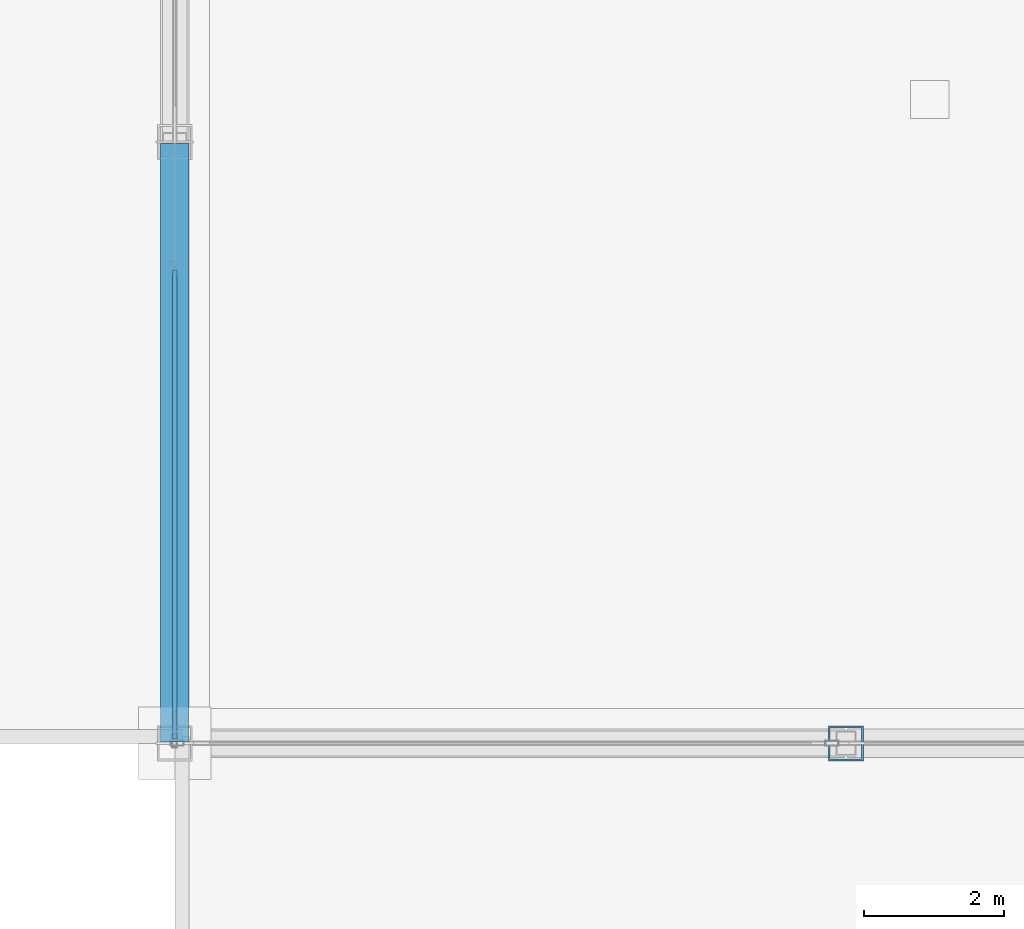
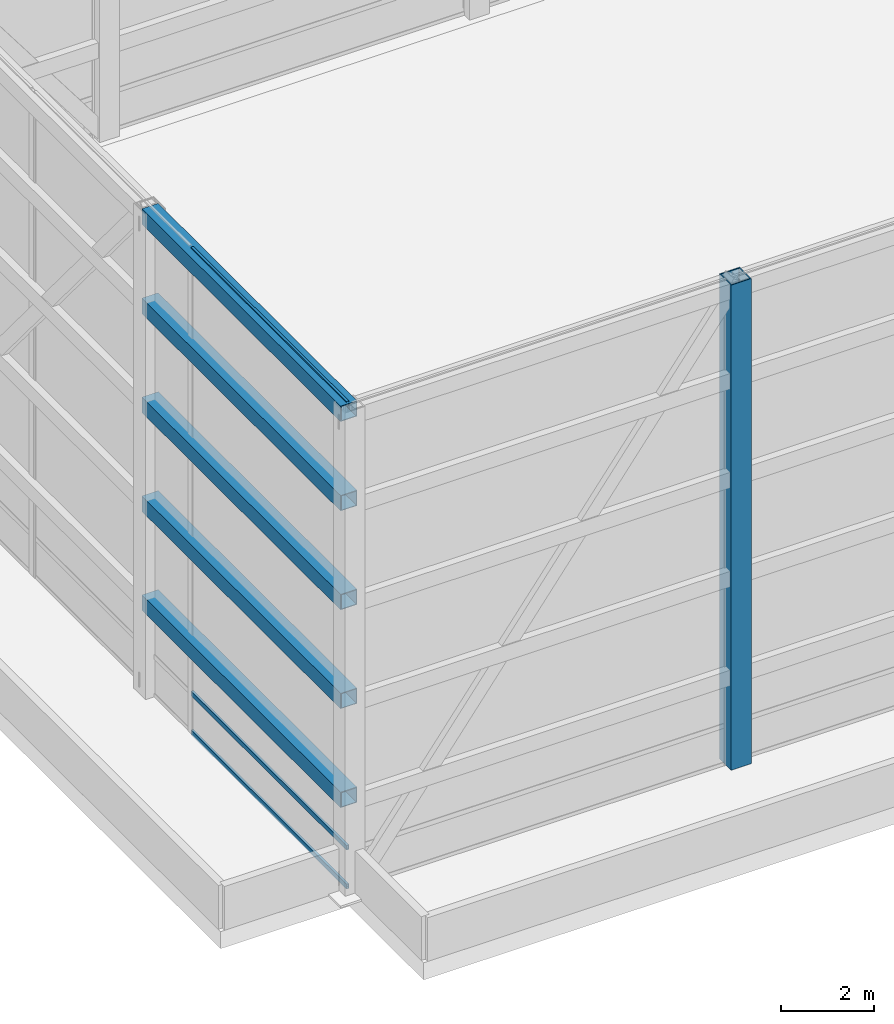
# One storey, part 2 of 23: 5 beams, 4 members, 1 element without a shape of its own.
"""IFC4 building model written with IfcOpenShell, lengths in metres."""

import ifcopenshell
import ifcopenshell.guid

model = None  # the IFC model being written
_history = None  # IfcOwnerHistory: only IFC2X3 demands one
_inside = {}  # id of a spatial element -> (the spatial element, [elements in it])
_under = {}  # id of a project, library or spatial element -> (it, [spatial elements below it])
_declared = {}  # id of a project -> (the project, [libraries it declares])
_typed = {}  # id of a type object -> (the type object, [elements of that type])
_made_of = {}  # id of a material, layer set ... -> (it, [elements and type objects made of it])


def new_model(schema):
    """Start an empty IFC model of exactly this schema.

    Asked for "IFC4X3", IfcOpenShell would pick the latest addendum, in which some entities
    have other attributes; the version numbers below select the first issue.
    IFC2X3 requires an IfcOwnerHistory on every rooted entity: one is made here for all.
    """
    global model, _history
    if schema == "IFC4X3":
        model = ifcopenshell.file(schema_version=(4, 3, 0, 0))
    else:
        model = ifcopenshell.file(schema=schema)
    _inside.clear()
    _under.clear()
    _declared.clear()
    _typed.clear()
    _made_of.clear()
    _history = None
    if model.schema == "IFC2X3":
        org = make("IfcOrganization", Name="unknown")
        user = make(
            "IfcPersonAndOrganization",
            ThePerson=make("IfcPerson", FamilyName="unknown"),
            TheOrganization=org,
        )
        app = make(
            "IfcApplication",
            ApplicationDeveloper=org,
            Version="unknown",
            ApplicationFullName="unknown",
            ApplicationIdentifier="unknown",
        )
        _history = make(
            "IfcOwnerHistory",
            OwningUser=user,
            OwningApplication=app,
            ChangeAction="ADDED",
            CreationDate=0,
        )
    return model


def make(cls, **values):
    """One entity of the class cls with the attributes given. An attribute that is None is left unset."""
    return model.create_entity(
        cls, **{name: value for name, value in values.items() if value is not None}
    )


def rooted(cls, **values):
    """An entity with a GlobalId (a new one), such as an element, a storey or a relation."""
    return make(cls, GlobalId=ifcopenshell.guid.new(), OwnerHistory=_history, **values)


def si_unit(unit_type, name, prefix=None):
    """IfcSIUnit, for example si_unit("LENGTHUNIT", "METRE", prefix="MILLI")."""
    return make("IfcSIUnit", UnitType=unit_type, Prefix=prefix, Name=name)


def assignment(units):
    """IfcUnitAssignment: the units of a project."""
    return None if units is None else make("IfcUnitAssignment", Units=units)


def point(xyz):
    """IfcCartesianPoint."""
    return None if xyz is None else make("IfcCartesianPoint", Coordinates=xyz)


def direction(xyz):
    """IfcDirection."""
    return None if xyz is None else make("IfcDirection", DirectionRatios=xyz)


def frame(location, z_axis=None, x_axis=None):
    """IfcAxis2Placement3D, a coordinate frame: its origin and axes. An axis left out is left unset."""
    return make(
        "IfcAxis2Placement3D",
        Location=point(location),
        Axis=direction(z_axis),
        RefDirection=direction(x_axis),
    )


def frame_2d(location, x_axis=None):
    """IfcAxis2Placement2D, a coordinate frame in the plane: its origin and x axis."""
    return make(
        "IfcAxis2Placement2D", Location=point(location), RefDirection=direction(x_axis)
    )


def origin():
    """The frame at (0, 0, 0) with its axes left unset."""
    return frame((0.0, 0.0, 0.0))


def origin_2d():
    """The frame at (0, 0) in the plane with its x axis left unset."""
    return frame_2d((0.0, 0.0))


def place(relative_to, where):
    """IfcLocalPlacement: puts the frame where relative to a parent placement (None: the world)."""
    return make(
        "IfcLocalPlacement", PlacementRelTo=relative_to, RelativePlacement=where
    )


def context(
    kind, dimensions, precision=None, world=None, true_north=None, identifier=None
):
    """IfcGeometricRepresentationContext, for example the 3D "Model" context."""
    return make(
        "IfcGeometricRepresentationContext",
        ContextIdentifier=identifier,
        ContextType=kind,
        CoordinateSpaceDimension=dimensions,
        Precision=precision,
        WorldCoordinateSystem=world,
        TrueNorth=true_north,
    )


def subcontext(parent, identifier, kind, view, scale=None):
    """IfcGeometricRepresentationSubContext, for example "Body" below "Model"."""
    return make(
        "IfcGeometricRepresentationSubContext",
        ContextIdentifier=identifier,
        ContextType=kind,
        ParentContext=parent,
        TargetScale=scale,
        TargetView=view,
    )


def project(units=None, contexts=None):
    """IfcProject with its units and contexts."""
    return rooted(
        "IfcProject",
        Name="project",
        RepresentationContexts=contexts,
        UnitsInContext=assignment(units),
    )


def spatial(cls, under=None, at=None, **own):
    """A site, building, storey or space (cls), placed at a placement, below another one or the project."""
    s = rooted(cls, ObjectPlacement=at, **own)
    if under is not None:
        _under.setdefault(under.id(), (under, []))[1].append(s)
    return s


def profile(cls, at=None, kind="AREA", **sizes):
    """A parametric profile (cls). Its sizes go by their IFC names, for example OverallWidth=200.0."""
    return make(cls, ProfileType=kind, Position=at, **sizes)


def hollow_rectangle(**sizes):
    """IfcRectangleHollowProfileDef."""
    return profile("IfcRectangleHollowProfileDef", **sizes)


def extrude(swept, where, along, depth):
    """IfcExtrudedAreaSolid: the profile swept, set in the frame where, extruded along a direction by depth."""
    return make(
        "IfcExtrudedAreaSolid",
        SweptArea=swept,
        Position=where,
        ExtrudedDirection=direction(along),
        Depth=depth,
    )


def shape(context_of_items, identifier, shape_type, items):
    """IfcShapeRepresentation: the items that make up one representation, for example the "Body"."""
    return make(
        "IfcShapeRepresentation",
        ContextOfItems=context_of_items,
        RepresentationIdentifier=identifier,
        RepresentationType=shape_type,
        Items=items,
    )


def source(mapping_origin, context_of_items, identifier, shape_type, items):
    """IfcRepresentationMap: a shape defined once, which mapped items show again and again."""
    return make(
        "IfcRepresentationMap",
        MappingOrigin=mapping_origin,
        MappedRepresentation=shape(context_of_items, identifier, shape_type, items),
    )


def transform(
    local_origin,
    x_axis=None,
    y_axis=None,
    z_axis=None,
    scale=None,
    scale2=None,
    scale3=None,
    uniform=True,
):
    """IfcCartesianTransformationOperator3D, or its non-uniform kind. x_axis, y_axis, z_axis: its Axis1, 2, 3."""
    if uniform:
        return make(
            "IfcCartesianTransformationOperator3D",
            Axis1=direction(x_axis),
            Axis2=direction(y_axis),
            LocalOrigin=point(local_origin),
            Scale=scale,
            Axis3=direction(z_axis),
        )
    return make(
        "IfcCartesianTransformationOperator3DnonUniform",
        Axis1=direction(x_axis),
        Axis2=direction(y_axis),
        LocalOrigin=point(local_origin),
        Scale=scale,
        Axis3=direction(z_axis),
        Scale2=scale2,
        Scale3=scale3,
    )


def mapped(mapping_source, mapping_target):
    """IfcMappedItem: shows the shape of a source again, moved by a transform."""
    return make(
        "IfcMappedItem", MappingSource=mapping_source, MappingTarget=mapping_target
    )


def material(Name=None, Category=None):
    """IfcMaterial."""
    return make("IfcMaterial", Name=Name, Category=Category)


def layer(
    of_material, thickness, ventilated=None, Name=None, Category=None, Priority=None
):
    """IfcMaterialLayer: one layer of a wall or slab, of a material (None: an air gap)."""
    return make(
        "IfcMaterialLayer",
        Material=of_material,
        LayerThickness=thickness,
        IsVentilated=ventilated,
        Name=Name,
        Category=Category,
        Priority=Priority,
    )


def layer_set(layers, Name=None):
    """IfcMaterialLayerSet."""
    return make("IfcMaterialLayerSet", MaterialLayers=layers, LayerSetName=Name)


def material_profile(
    of_material, cross_section, Name=None, Category=None, Priority=None
):
    """IfcMaterialProfile: a cross section and its material."""
    return make(
        "IfcMaterialProfile",
        Name=Name,
        Material=of_material,
        Profile=cross_section,
        Priority=Priority,
        Category=Category,
    )


def profile_set(profiles, Name=None, composite=None):
    """IfcMaterialProfileSet."""
    return make(
        "IfcMaterialProfileSet",
        Name=Name,
        MaterialProfiles=profiles,
        CompositeProfile=composite,
    )


def made_of(thing, what):
    """Note that an element or type object is made of a material, layer set ...; save() writes the relation."""
    if what is not None:
        _made_of.setdefault(what.id(), (what, []))[1].append(thing)
    return thing


def type_object(cls, material=None, **own):
    """A type object (cls), such as IfcWallType, which elements share."""
    return made_of(rooted(cls, **own), material)


def type_shapes(of_type, sources):
    """Give a type object the sources (RepresentationMaps) that its elements show as mapped items."""
    of_type.RepresentationMaps = sources


def element(
    cls,
    number,
    at=None,
    inside=None,
    cuts=None,
    type_object=None,
    material=None,
    context=None,
    identifier="Body",
    shape_type=None,
    held_by="IfcProductDefinitionShape",
    body=None,
    shapes=None,
    **own,
):
    """One element of the class cls, such as IfcWall. Its Tag is "e" and its number.

    at: its placement. inside: the storey or other place that contains it. cuts: it is an
    opening in that element (IfcRelVoidsElement). A single representation is given by context,
    identifier, shape_type and body (its items); several are given by shapes. held_by: the class
    of the entity that holds the representations. save() writes the other relations.
    """
    e = rooted(cls, Tag="e%d" % number, ObjectPlacement=at, **own)
    if body is not None:
        shapes = [shape(context, identifier, shape_type, body)]
    if shapes is not None:
        e.Representation = make(held_by, Representations=shapes)
    if inside is not None:
        _inside.setdefault(inside.id(), (inside, []))[1].append(e)
    if cuts is not None:
        rooted(
            "IfcRelVoidsElement", RelatingBuildingElement=cuts, RelatedOpeningElement=e
        )
    if type_object is not None:
        _typed.setdefault(type_object.id(), (type_object, []))[1].append(e)
    return made_of(e, material)


def aggregate(whole, parts):
    """IfcRelAggregates: a whole, such as a stair, and the parts it consists of."""
    return rooted("IfcRelAggregates", RelatingObject=whole, RelatedObjects=parts)


def save(model, path):
    """Write the relations noted so far, then the file.

    IfcRelAggregates (storeys below a building ...), IfcRelContainedInSpatialStructure (elements
    in a storey), IfcRelDefinesByType, IfcRelAssociatesMaterial and IfcRelDeclares: one each for
    every whole, place, type object, material and project.
    """
    for whole, parts in _under.values():
        aggregate(whole, parts)
    for where, things in _inside.values():
        rooted(
            "IfcRelContainedInSpatialStructure",
            RelatedElements=things,
            RelatingStructure=where,
        )
    for kind, things in _typed.values():
        rooted("IfcRelDefinesByType", RelatedObjects=things, RelatingType=kind)
    for what, things in _made_of.values():
        rooted("IfcRelAssociatesMaterial", RelatedObjects=things, RelatingMaterial=what)
    for by, libraries in _declared.values():
        rooted("IfcRelDeclares", RelatingContext=by, RelatedDefinitions=libraries)
    model.write(path)


model = new_model("IFC4")

# Units and contexts
model_context = context("Model", 3, precision=1e-05, world=origin(), true_north=direction((0.0, 1.0)))
body_context = subcontext(model_context, "Body", "Model", "MODEL_VIEW")
ifc_project = project(units=[si_unit("LENGTHUNIT", "METRE"), si_unit("AREAUNIT", "SQUARE_METRE"), si_unit("VOLUMEUNIT", "CUBIC_METRE"), si_unit("PLANEANGLEUNIT", "RADIAN"), si_unit("MASSUNIT", "GRAM", prefix="KILO")], contexts=[model_context])

# Site, building, storey
site_placement = place(None, origin())
site = spatial("IfcSite", under=ifc_project, at=site_placement, CompositionType="ELEMENT")
building_placement = place(site_placement, origin())
building = spatial("IfcBuilding", under=site, at=building_placement, Name="Varnel Quay Broadcast Tower", CompositionType="ELEMENT")
storey_placement = place(building_placement, frame((0.0, 0.0, 319.800048828125)))
storey = spatial("IfcBuildingStorey", under=building, at=storey_placement, Name="Roof", CompositionType="ELEMENT", Elevation=319.800048828125)

# Member
ifc_material_1 = material(Name="Structural Steel CSA G40.21 350WT", Category="steel")
ifc_material_profile_1 = material_profile(ifc_material_1, hollow_rectangle(XDim=0.5, YDim=0.5, WallThickness=0.02490234375, at=origin_2d()), Name="BOX500X500X25")
ifc_profile_set_1 = profile_set([ifc_material_profile_1], Name="Structural Steel CSA G40.21 350WT")
member_type_1 = type_object("IfcMemberType", Name="CrownRingPost_BOX500", PredefinedType="POST", material=ifc_profile_set_1)
shared_shape_1 = source(origin(), body_context, "Body", "SweptSolid", [
    extrude(hollow_rectangle(XDim=0.5, YDim=0.5, WallThickness=0.02490234375, at=origin_2d()), origin(), (0.0, 0.0, 1.0), 12.75),
])
type_shapes(member_type_1, [shared_shape_1])
member_1_placement = place(storey_placement, frame((24.800048828125, 16.39990234375, 0.0), z_axis=(0.0, 0.0, 1.0), x_axis=(1.0, 0.0, 0.0)))
element("IfcMember", 1, at=member_1_placement, inside=storey, type_object=member_type_1, Name="CROWN FRAME Ring Post 2", PredefinedType="POST", context=body_context, shape_type="MappedRepresentation", body=[
    mapped(shared_shape_1, transform((0.0, 0.0, 0.0), x_axis=(1.0, 0.0, 0.0), y_axis=(0.0, 1.0, 0.0), z_axis=(0.0, 0.0, 1.0), scale=1.0)),
])

# Beams
ifc_material_profile_2 = material_profile(ifc_material_1, hollow_rectangle(XDim=0.406005859375, YDim=0.406005859375, WallThickness=0.01611328125, at=origin_2d()), Name="HSS406X406X16")
ifc_profile_set_2 = profile_set([ifc_material_profile_2], Name="Structural Steel CSA G40.21 350WT")
beam_type = type_object("IfcBeamType", Name="CrownRingBeam_HSS406", PredefinedType="BEAM", material=ifc_profile_set_2)
shared_shape_2 = source(origin(), body_context, "Body", "SweptSolid", [
    extrude(hollow_rectangle(XDim=0.406005859375, YDim=0.406005859375, WallThickness=0.01611328125, at=origin_2d()), origin(), (0.0, 0.0, 1.0), 8.56005859375),
])
type_shapes(beam_type, [shared_shape_2])
for number, where, z_axis, x_axis, name in (
    (2, (15.199951171875, 24.97998046875, 2.39697265625), (0.0, -1.0, 0.0), (1.0, 0.0, 0.0), "CROWN FRAME Ring Tier 1 Beam 14"),
    (3, (15.199951171875, 24.97998046875, 4.9970703125), (0.0, -1.0, 0.0), (1.0, 0.0, 0.0), "CROWN FRAME Ring Tier 2 Beam 14"),
    (4, (15.199951171875, 24.97998046875, 7.596923828125), (0.0, -1.0, 0.0), (1.0, 0.0, 0.0), "CROWN FRAME Ring Tier 3 Beam 14"),
    (5, (15.199951171875, 24.97998046875, 10.197021484375), (0.0, -1.0, 0.0), (1.0, 0.0, 0.0), "CROWN FRAME Ring Tier 4 Beam 14"),
    (6, (15.199951171875, 24.97998046875, 12.546875), (0.0, -1.0, 0.0), (1.0, 0.0, 0.0), "CROWN FRAME Ring Tier 5 Beam 14"),
):
    element("IfcBeam", number, at=place(storey_placement, frame(where, z_axis=z_axis, x_axis=x_axis)), inside=storey, type_object=beam_type, Name=name, PredefinedType="BEAM", context=body_context, shape_type="MappedRepresentation", body=[
        mapped(shared_shape_2, transform((0.0, 0.0, 0.0), x_axis=(1.0, 0.0, 0.0), y_axis=(0.0, 1.0, 0.0), z_axis=(0.0, 0.0, 1.0), scale=1.0)),
    ])

# Curtain wall, members
ifc_material_2 = material(Name="Anodised Bronze Aluminium 6063-T6", Category="aluminium")
ifc_layer = layer(ifc_material_2, 0.18994140625, Name="Anodised Bronze Aluminium 6063-T6")
ifc_layer_set = layer_set([ifc_layer], Name="Anodised Bronze Aluminium 6063-T6")
curtain_wall_type = type_object("IfcCurtainWallType", Name="CW_CrownScreen", PredefinedType="NOTDEFINED", material=ifc_layer_set)
curtain_wall_placement = place(storey_placement, origin())
curtain_wall = element("IfcCurtainWall", 7, at=curtain_wall_placement, inside=storey, type_object=curtain_wall_type, Name="Ring Crown Bronze Glazed Louvre Screen W2", PredefinedType="NOTDEFINED")
ifc_material_profile_3 = material_profile(ifc_material_2, hollow_rectangle(XDim=0.06005859375, YDim=0.125, WallThickness=0.0029296875, at=origin_2d()), Name="ALU60X125X3")
ifc_profile_set_3 = profile_set([ifc_material_profile_3], Name="Anodised Bronze Aluminium 6063-T6")
member_type_2 = type_object("IfcMemberType", Name="Tran_CWS-06", PredefinedType="USERDEFINED", material=ifc_profile_set_3)
shared_shape_3 = source(origin(), body_context, "Body", "SweptSolid", [
    extrude(hollow_rectangle(XDim=0.06005859375, YDim=0.125, WallThickness=0.0029296875, at=origin_2d()), origin(), (0.0, 0.0, 1.0), 6.695068359375),
])
type_shapes(member_type_2, [shared_shape_3])
member_2_placement = place(storey_placement, frame((15.199951171875, 23.1650390625, 0.030029296875), z_axis=(0.0, -1.0, 0.0), x_axis=(1.0, 0.0, 0.0)))
member_2 = element("IfcMember", 8, at=member_2_placement, type_object=member_type_2, Name="CWS-06 transom 2.1", ObjectType="TRANSOM", PredefinedType="USERDEFINED", context=body_context, shape_type="MappedRepresentation", body=[
    mapped(shared_shape_3, transform((0.0, 0.0, 0.0), x_axis=(1.0, 0.0, 0.0), y_axis=(0.0, 1.0, 0.0), z_axis=(0.0, 0.0, 1.0), scale=1.0)),
])
member_3_placement = place(storey_placement, frame((15.199951171875, 23.1650390625, 1.050048828125), z_axis=(0.0, -1.0, 0.0), x_axis=(1.0, 0.0, 0.0)))
member_3 = element("IfcMember", 9, at=member_3_placement, type_object=member_type_2, Name="CWS-06 transom 2.2", ObjectType="TRANSOM", PredefinedType="USERDEFINED", context=body_context, shape_type="MappedRepresentation", body=[
    mapped(shared_shape_3, transform((0.0, 0.0, 0.0), x_axis=(1.0, 0.0, 0.0), y_axis=(0.0, 1.0, 0.0), z_axis=(0.0, 0.0, 1.0), scale=1.0)),
])
member_4_placement = place(storey_placement, frame((15.199951171875, 23.1650390625, 12.719970703125), z_axis=(0.0, -1.0, 0.0), x_axis=(1.0, 0.0, 0.0)))
member_4 = element("IfcMember", 10, at=member_4_placement, type_object=member_type_2, Name="CWS-06 transom 2.3", ObjectType="TRANSOM", PredefinedType="USERDEFINED", context=body_context, shape_type="MappedRepresentation", body=[
    mapped(shared_shape_3, transform((0.0, 0.0, 0.0), x_axis=(1.0, 0.0, 0.0), y_axis=(0.0, 1.0, 0.0), z_axis=(0.0, 0.0, 1.0), scale=1.0)),
])
aggregate(curtain_wall, [member_2, member_3, member_4])

save(model, "model.ifc")
